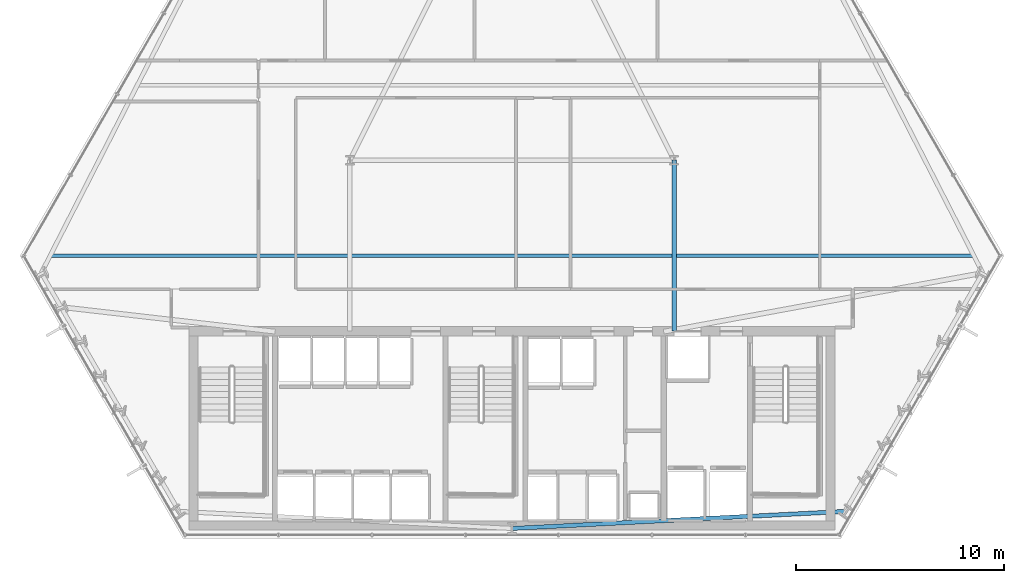
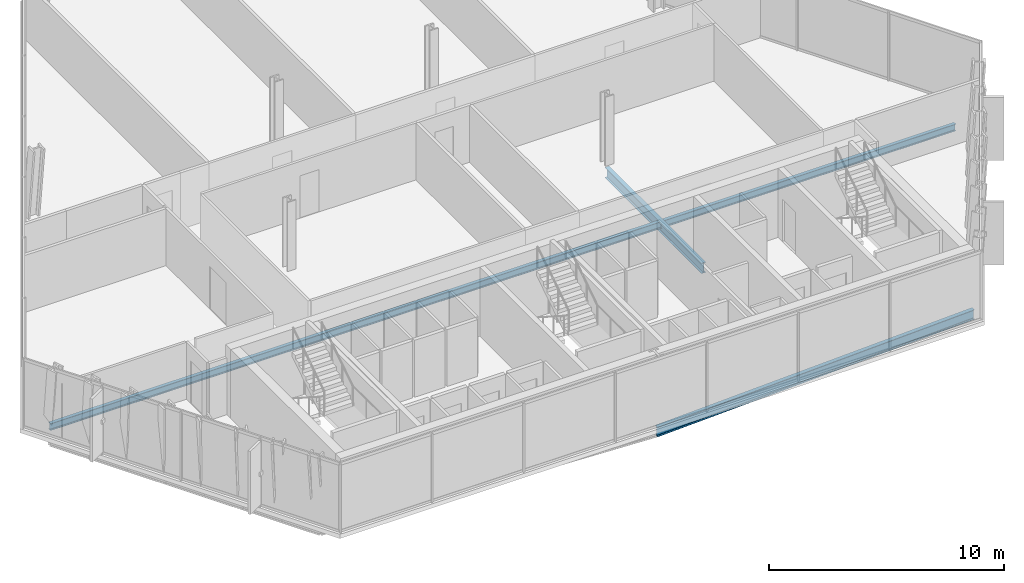
# One storey, part 10 of 32: 3 beams.
"""IFC4 building model written with IfcOpenShell, lengths in metres."""

from ifc_helpers import new_model, si_unit, direction, frame, origin, origin_2d, place, context, subcontext, project, spatial, i_section, extrude, material, material_profile, profile_set, type_object, element, save


model = new_model("IFC4")

# Units and contexts
model_context = context("Model", 3, precision=1e-05, world=origin(), true_north=direction((0.0, 1.0)))
body_context = subcontext(model_context, "Body", "Model", "MODEL_VIEW")
ifc_project = project(units=[si_unit("LENGTHUNIT", "METRE"), si_unit("AREAUNIT", "SQUARE_METRE"), si_unit("VOLUMEUNIT", "CUBIC_METRE"), si_unit("PLANEANGLEUNIT", "RADIAN"), si_unit("MASSUNIT", "GRAM", prefix="KILO")], contexts=[model_context])

# Site, building, storey
site_placement = place(None, origin())
site = spatial("IfcSite", under=ifc_project, at=site_placement, CompositionType="ELEMENT")
building_placement = place(site_placement, origin())
building = spatial("IfcBuilding", under=site, at=building_placement, Name="Ndaravel Arena Tower", CompositionType="ELEMENT")
storey_placement = place(building_placement, frame((0.0, 0.0, 66.39990234375)))
storey = spatial("IfcBuildingStorey", under=building, at=storey_placement, Name="L14", CompositionType="ELEMENT", Elevation=66.39990234375)

# Beams
ifc_material_1 = material(Name="Steel S355", Category="steel")
ifc_material_profile_1 = material_profile(ifc_material_1, i_section(OverallWidth=0.210693359375, OverallDepth=0.53955078125, WebThickness=0.01171875, FlangeThickness=0.018798828125, FilletRadius=0.0126953125, at=origin_2d()), Name="UB 533x210x109")
ifc_profile_set_1 = profile_set([ifc_material_profile_1], Name="Steel S355")
beam_type_1 = type_object("IfcBeamType", Name="BM-GIRD-UB533", PredefinedType="BEAM", material=ifc_profile_set_1)
beam_1_placement = place(storey_placement, frame((49.800048828125, 14.97998046875, -0.489501953125), z_axis=(0.0, 1.0, 0.0), x_axis=(-1.0, 0.0, 0.0)))
element("IfcBeam", 1, at=beam_1_placement, inside=storey, type_object=beam_type_1, Name="L14 Spine Link Girder SLG-02", PredefinedType="BEAM", context=body_context, shape_type="SweptSolid", body=[
    extrude(i_section(OverallWidth=0.210693359375, OverallDepth=0.53955078125, WebThickness=0.01171875, FlangeThickness=0.018798828125, FilletRadius=0.0126953125, at=origin_2d()), origin(), (0.0, 0.0, 1.0), 8.219970703125),
])
ifc_material_2 = material(Name="Steel S355", Category="steel")
ifc_material_profile_2 = material_profile(ifc_material_2, i_section(OverallWidth=0.169921875, OverallDepth=0.360107421875, WebThickness=0.008056640625, FlangeThickness=0.0126953125, FilletRadius=0.01806640625, at=origin_2d()), Name="IPE 360")
ifc_profile_set_2 = profile_set([ifc_material_profile_2], Name="Steel S355")
beam_type_2 = type_object("IfcBeamType", Name="BM-JOIST-IPE360", PredefinedType="JOIST", material=ifc_profile_set_2)
beam_2_placement = place(storey_placement, frame((19.773681640625, 18.60009765625, -0.39990234375), z_axis=(1.0, 0.0, 0.0), x_axis=(0.0, 1.0, 0.0)))
element("IfcBeam", 2, at=beam_2_placement, inside=storey, type_object=beam_type_2, Name="L14 Composite Floor Joist FJ-01", PredefinedType="JOIST", context=body_context, shape_type="SweptSolid", body=[
    extrude(i_section(OverallWidth=0.169921875, OverallDepth=0.360107421875, WebThickness=0.008056640625, FlangeThickness=0.0126953125, FilletRadius=0.01806640625, at=origin_2d()), origin(), (0.0, 0.0, 1.0), 44.45263671875),
])
ifc_material_3 = material(Name="Steel S355", Category="steel")
ifc_material_profile_3 = material_profile(ifc_material_3, i_section(OverallWidth=0.199951171875, OverallDepth=0.5, WebThickness=0.01025390625, FlangeThickness=0.01611328125, FilletRadius=0.02099609375, at=origin_2d()), Name="IPE 500")
ifc_profile_set_3 = profile_set([ifc_material_profile_3], Name="Steel S355")
beam_type_3 = type_object("IfcBeamType", Name="BM-SPAN-IPE500", PredefinedType="SPANDREL", material=ifc_profile_set_3)
beam_3_placement = place(storey_placement, frame((42.0, 5.47998046875, -0.469970703125), z_axis=(0.998694459714, 0.051082052981, 0.0), x_axis=(-0.051082052981, 0.998694459714, 0.0)))
element("IfcBeam", 3, at=beam_3_placement, inside=storey, type_object=beam_type_3, Name="L14 Perimeter Spandrel Beam SP-01", PredefinedType="SPANDREL", context=body_context, shape_type="SweptSolid", body=[
    extrude(i_section(OverallWidth=0.199951171875, OverallDepth=0.5, WebThickness=0.01025390625, FlangeThickness=0.01611328125, FilletRadius=0.02099609375, at=origin_2d()), origin(), (0.0, 0.0, 1.0), 16.04443359375),
])

save(model, "model.ifc")
